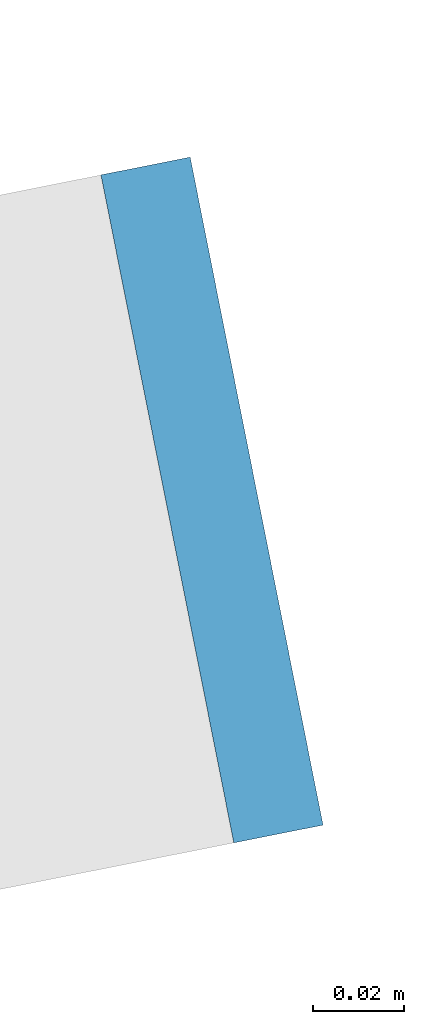
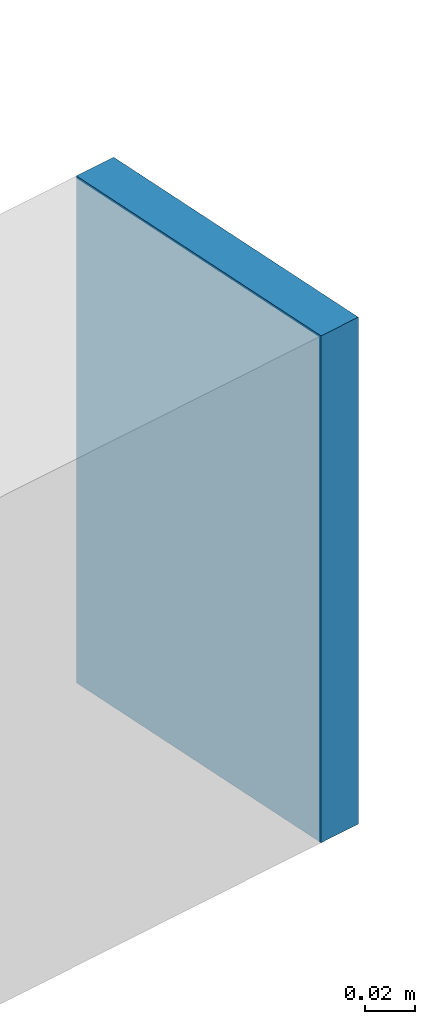
# One storey, part 22 of 30: 1 discrete accessory.
"""IFC4 building model written with IfcOpenShell, lengths in metres."""

import ifcopenshell
import ifcopenshell.guid

model = None  # the IFC model being written
_history = None  # IfcOwnerHistory: only IFC2X3 demands one
_inside = {}  # id of a spatial element -> (the spatial element, [elements in it])
_under = {}  # id of a project, library or spatial element -> (it, [spatial elements below it])
_declared = {}  # id of a project -> (the project, [libraries it declares])
_typed = {}  # id of a type object -> (the type object, [elements of that type])
_made_of = {}  # id of a material, layer set ... -> (it, [elements and type objects made of it])


def new_model(schema):
    """Start an empty IFC model of exactly this schema.

    Asked for "IFC4X3", IfcOpenShell would pick the latest addendum, in which some entities
    have other attributes; the version numbers below select the first issue.
    IFC2X3 requires an IfcOwnerHistory on every rooted entity: one is made here for all.
    """
    global model, _history
    if schema == "IFC4X3":
        model = ifcopenshell.file(schema_version=(4, 3, 0, 0))
    else:
        model = ifcopenshell.file(schema=schema)
    _inside.clear()
    _under.clear()
    _declared.clear()
    _typed.clear()
    _made_of.clear()
    _history = None
    if model.schema == "IFC2X3":
        org = make("IfcOrganization", Name="unknown")
        user = make(
            "IfcPersonAndOrganization",
            ThePerson=make("IfcPerson", FamilyName="unknown"),
            TheOrganization=org,
        )
        app = make(
            "IfcApplication",
            ApplicationDeveloper=org,
            Version="unknown",
            ApplicationFullName="unknown",
            ApplicationIdentifier="unknown",
        )
        _history = make(
            "IfcOwnerHistory",
            OwningUser=user,
            OwningApplication=app,
            ChangeAction="ADDED",
            CreationDate=0,
        )
    return model


def make(cls, **values):
    """One entity of the class cls with the attributes given. An attribute that is None is left unset."""
    return model.create_entity(
        cls, **{name: value for name, value in values.items() if value is not None}
    )


def rooted(cls, **values):
    """An entity with a GlobalId (a new one), such as an element, a storey or a relation."""
    return make(cls, GlobalId=ifcopenshell.guid.new(), OwnerHistory=_history, **values)


def si_unit(unit_type, name, prefix=None):
    """IfcSIUnit, for example si_unit("LENGTHUNIT", "METRE", prefix="MILLI")."""
    return make("IfcSIUnit", UnitType=unit_type, Prefix=prefix, Name=name)


def assignment(units):
    """IfcUnitAssignment: the units of a project."""
    return None if units is None else make("IfcUnitAssignment", Units=units)


def point(xyz):
    """IfcCartesianPoint."""
    return None if xyz is None else make("IfcCartesianPoint", Coordinates=xyz)


def direction(xyz):
    """IfcDirection."""
    return None if xyz is None else make("IfcDirection", DirectionRatios=xyz)


def frame(location, z_axis=None, x_axis=None):
    """IfcAxis2Placement3D, a coordinate frame: its origin and axes. An axis left out is left unset."""
    return make(
        "IfcAxis2Placement3D",
        Location=point(location),
        Axis=direction(z_axis),
        RefDirection=direction(x_axis),
    )


def frame_2d(location, x_axis=None):
    """IfcAxis2Placement2D, a coordinate frame in the plane: its origin and x axis."""
    return make(
        "IfcAxis2Placement2D", Location=point(location), RefDirection=direction(x_axis)
    )


def origin():
    """The frame at (0, 0, 0) with its axes left unset."""
    return frame((0.0, 0.0, 0.0))


def origin_2d():
    """The frame at (0, 0) in the plane with its x axis left unset."""
    return frame_2d((0.0, 0.0))


def place(relative_to, where):
    """IfcLocalPlacement: puts the frame where relative to a parent placement (None: the world)."""
    return make(
        "IfcLocalPlacement", PlacementRelTo=relative_to, RelativePlacement=where
    )


def context(
    kind, dimensions, precision=None, world=None, true_north=None, identifier=None
):
    """IfcGeometricRepresentationContext, for example the 3D "Model" context."""
    return make(
        "IfcGeometricRepresentationContext",
        ContextIdentifier=identifier,
        ContextType=kind,
        CoordinateSpaceDimension=dimensions,
        Precision=precision,
        WorldCoordinateSystem=world,
        TrueNorth=true_north,
    )


def subcontext(parent, identifier, kind, view, scale=None):
    """IfcGeometricRepresentationSubContext, for example "Body" below "Model"."""
    return make(
        "IfcGeometricRepresentationSubContext",
        ContextIdentifier=identifier,
        ContextType=kind,
        ParentContext=parent,
        TargetScale=scale,
        TargetView=view,
    )


def project(units=None, contexts=None):
    """IfcProject with its units and contexts."""
    return rooted(
        "IfcProject",
        Name="project",
        RepresentationContexts=contexts,
        UnitsInContext=assignment(units),
    )


def spatial(cls, under=None, at=None, **own):
    """A site, building, storey or space (cls), placed at a placement, below another one or the project."""
    s = rooted(cls, ObjectPlacement=at, **own)
    if under is not None:
        _under.setdefault(under.id(), (under, []))[1].append(s)
    return s


def profile(cls, at=None, kind="AREA", **sizes):
    """A parametric profile (cls). Its sizes go by their IFC names, for example OverallWidth=200.0."""
    return make(cls, ProfileType=kind, Position=at, **sizes)


def rectangle(**sizes):
    """IfcRectangleProfileDef."""
    return profile("IfcRectangleProfileDef", **sizes)


def extrude(swept, where, along, depth):
    """IfcExtrudedAreaSolid: the profile swept, set in the frame where, extruded along a direction by depth."""
    return make(
        "IfcExtrudedAreaSolid",
        SweptArea=swept,
        Position=where,
        ExtrudedDirection=direction(along),
        Depth=depth,
    )


def shape(context_of_items, identifier, shape_type, items):
    """IfcShapeRepresentation: the items that make up one representation, for example the "Body"."""
    return make(
        "IfcShapeRepresentation",
        ContextOfItems=context_of_items,
        RepresentationIdentifier=identifier,
        RepresentationType=shape_type,
        Items=items,
    )


def material(Name=None, Category=None):
    """IfcMaterial."""
    return make("IfcMaterial", Name=Name, Category=Category)


def layer(
    of_material, thickness, ventilated=None, Name=None, Category=None, Priority=None
):
    """IfcMaterialLayer: one layer of a wall or slab, of a material (None: an air gap)."""
    return make(
        "IfcMaterialLayer",
        Material=of_material,
        LayerThickness=thickness,
        IsVentilated=ventilated,
        Name=Name,
        Category=Category,
        Priority=Priority,
    )


def layer_set(layers, Name=None):
    """IfcMaterialLayerSet."""
    return make("IfcMaterialLayerSet", MaterialLayers=layers, LayerSetName=Name)


def made_of(thing, what):
    """Note that an element or type object is made of a material, layer set ...; save() writes the relation."""
    if what is not None:
        _made_of.setdefault(what.id(), (what, []))[1].append(thing)
    return thing


def type_object(cls, material=None, **own):
    """A type object (cls), such as IfcWallType, which elements share."""
    return made_of(rooted(cls, **own), material)


def element(
    cls,
    number,
    at=None,
    inside=None,
    cuts=None,
    type_object=None,
    material=None,
    context=None,
    identifier="Body",
    shape_type=None,
    held_by="IfcProductDefinitionShape",
    body=None,
    shapes=None,
    **own,
):
    """One element of the class cls, such as IfcWall. Its Tag is "e" and its number.

    at: its placement. inside: the storey or other place that contains it. cuts: it is an
    opening in that element (IfcRelVoidsElement). A single representation is given by context,
    identifier, shape_type and body (its items); several are given by shapes. held_by: the class
    of the entity that holds the representations. save() writes the other relations.
    """
    e = rooted(cls, Tag="e%d" % number, ObjectPlacement=at, **own)
    if body is not None:
        shapes = [shape(context, identifier, shape_type, body)]
    if shapes is not None:
        e.Representation = make(held_by, Representations=shapes)
    if inside is not None:
        _inside.setdefault(inside.id(), (inside, []))[1].append(e)
    if cuts is not None:
        rooted(
            "IfcRelVoidsElement", RelatingBuildingElement=cuts, RelatedOpeningElement=e
        )
    if type_object is not None:
        _typed.setdefault(type_object.id(), (type_object, []))[1].append(e)
    return made_of(e, material)


def aggregate(whole, parts):
    """IfcRelAggregates: a whole, such as a stair, and the parts it consists of."""
    return rooted("IfcRelAggregates", RelatingObject=whole, RelatedObjects=parts)


def save(model, path):
    """Write the relations noted so far, then the file.

    IfcRelAggregates (storeys below a building ...), IfcRelContainedInSpatialStructure (elements
    in a storey), IfcRelDefinesByType, IfcRelAssociatesMaterial and IfcRelDeclares: one each for
    every whole, place, type object, material and project.
    """
    for whole, parts in _under.values():
        aggregate(whole, parts)
    for where, things in _inside.values():
        rooted(
            "IfcRelContainedInSpatialStructure",
            RelatedElements=things,
            RelatingStructure=where,
        )
    for kind, things in _typed.values():
        rooted("IfcRelDefinesByType", RelatedObjects=things, RelatingType=kind)
    for what, things in _made_of.values():
        rooted("IfcRelAssociatesMaterial", RelatedObjects=things, RelatingMaterial=what)
    for by, libraries in _declared.values():
        rooted("IfcRelDeclares", RelatingContext=by, RelatedDefinitions=libraries)
    model.write(path)


model = new_model("IFC4")

# Units and contexts
model_context = context("Model", 3, precision=1e-05, world=origin(), true_north=direction((0.0, 1.0)))
body_context = subcontext(model_context, "Body", "Model", "MODEL_VIEW")
ifc_project = project(units=[si_unit("LENGTHUNIT", "METRE"), si_unit("AREAUNIT", "SQUARE_METRE"), si_unit("VOLUMEUNIT", "CUBIC_METRE"), si_unit("PLANEANGLEUNIT", "RADIAN"), si_unit("MASSUNIT", "GRAM", prefix="KILO")], contexts=[model_context])

# Site, building, storey
site_placement = place(None, origin())
site = spatial("IfcSite", under=ifc_project, at=site_placement, CompositionType="ELEMENT")
building_placement = place(site_placement, origin())
building = spatial("IfcBuilding", under=site, at=building_placement, Name="Siwar Civic Tower", CompositionType="ELEMENT")
storey_placement = place(building_placement, frame((0.0, 0.0, 62.699951171875)))
storey = spatial("IfcBuildingStorey", under=building, at=storey_placement, Name="L13", CompositionType="ELEMENT", Elevation=62.699951171875)

# Discrete accessory
ifc_material = material(Name="Steel S355", Category="steel")
ifc_layer = layer(ifc_material, 0.02001953125)
ifc_layer_set = layer_set([ifc_layer], Name="Steel S355")
discrete_accessory_type = type_object("IfcDiscreteAccessoryType", Name="STR-END-CAP", PredefinedType="USERDEFINED", material=ifc_layer_set)
discrete_accessory_placement = place(storey_placement, frame((33.3447265625, 22.642578125, -0.39990234375), z_axis=(0.0, 0.0, 1.0), x_axis=(0.980785280383, 0.195090322119, 0.0)))
element("IfcDiscreteAccessory", 1, at=discrete_accessory_placement, inside=storey, type_object=discrete_accessory_type, Name="End cap plate Balcony cantilever beam NE 1", ObjectType="END CAP PLATE", PredefinedType="USERDEFINED", context=body_context, shape_type="SweptSolid", body=[
    extrude(rectangle(XDim=0.02001953125, YDim=0.14990234375, at=origin_2d()), origin(), (0.0, 0.0, 1.0), 0.25),
])

save(model, "model.ifc")
